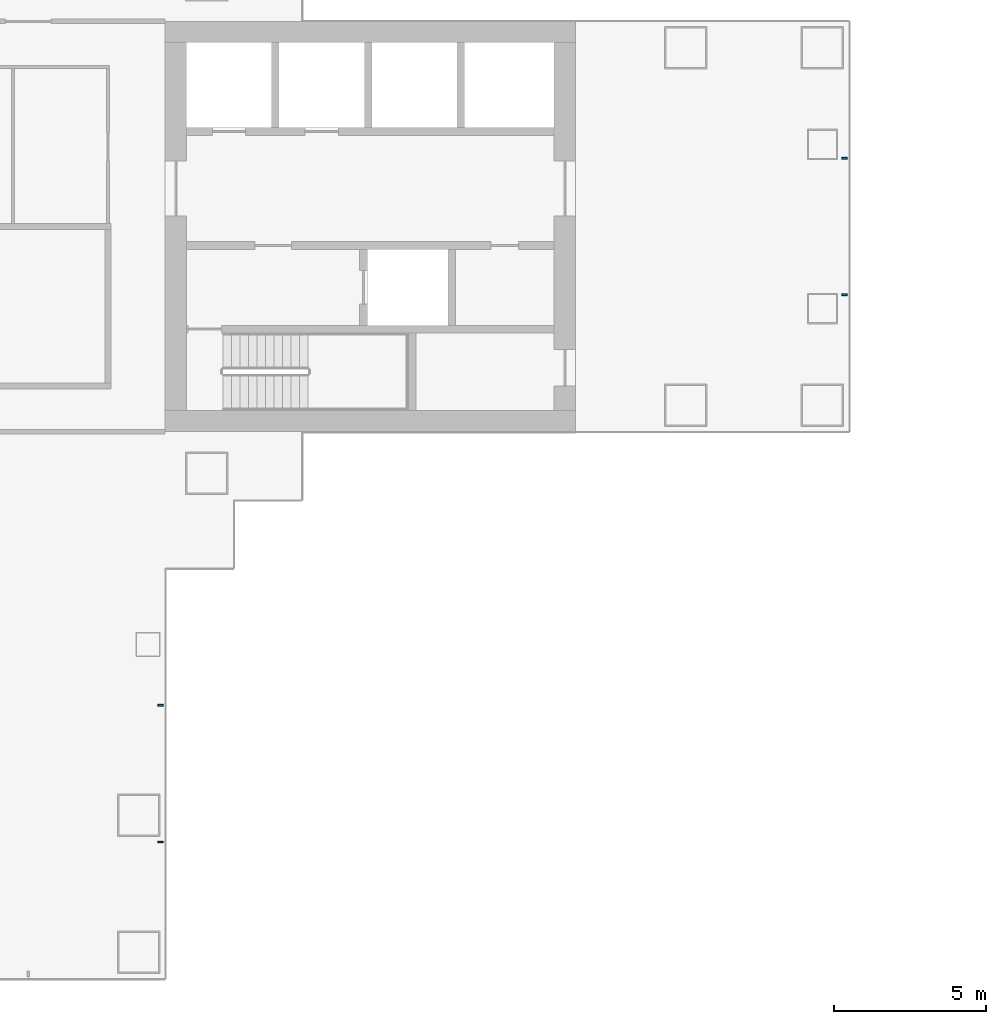
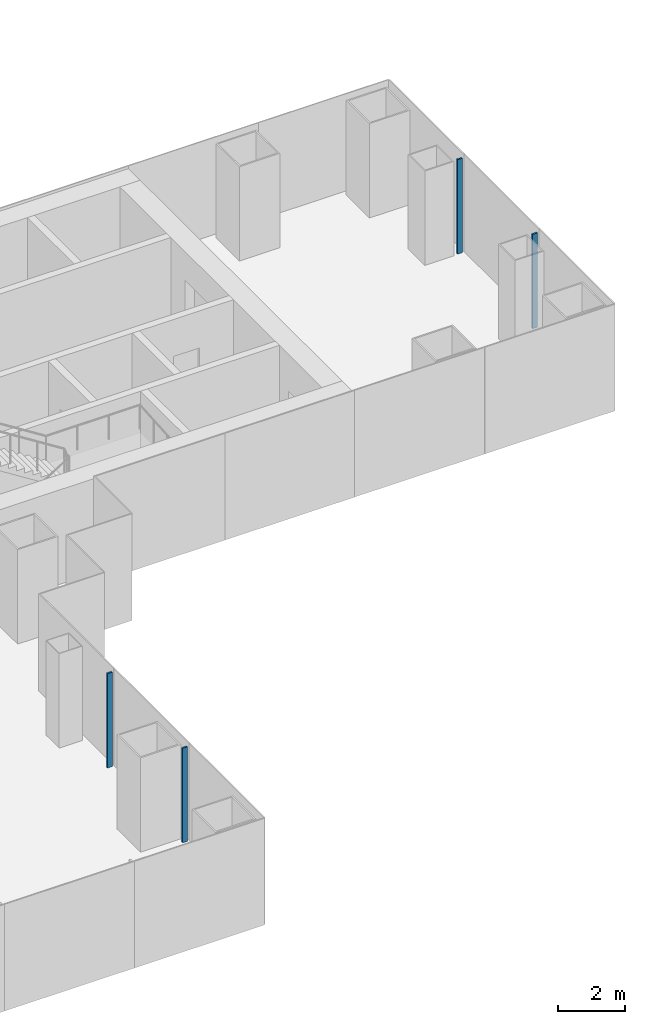
# One storey, part 5 of 22: 4 members, 2 elements without a shape of their own.
"""IFC4 building model written with IfcOpenShell, lengths in metres."""

from ifc_helpers import new_model, si_unit, direction, frame, origin, origin_2d, place, context, subcontext, project, spatial, rectangle, extrude, material, layer, layer_set, material_profile, profile_set, type_object, element, aggregate, save


model = new_model("IFC4")

# Units and contexts
model_context = context("Model", 3, precision=1e-05, world=origin(), true_north=direction((0.0, 1.0)))
body_context = subcontext(model_context, "Body", "Model", "MODEL_VIEW")
ifc_project = project(units=[si_unit("LENGTHUNIT", "METRE"), si_unit("AREAUNIT", "SQUARE_METRE"), si_unit("VOLUMEUNIT", "CUBIC_METRE"), si_unit("PLANEANGLEUNIT", "RADIAN"), si_unit("MASSUNIT", "GRAM", prefix="KILO")], contexts=[model_context])

# Site, building, storey
site_placement = place(None, origin())
site = spatial("IfcSite", under=ifc_project, at=site_placement, CompositionType="ELEMENT")
building_placement = place(site_placement, origin())
building = spatial("IfcBuilding", under=site, at=building_placement, Name="Shamsa Quay Exchange Towers", CompositionType="ELEMENT")
storey_placement = place(building_placement, frame((0.0, 0.0, 73.199951171875)))
storey = spatial("IfcBuildingStorey", under=building, at=storey_placement, Name="L16", CompositionType="ELEMENT", Elevation=73.199951171875)

# Curtain wall, members
ifc_material = material(Name="Aluminium EN AW-6063 T6, black anodised", Category="aluminium")
ifc_layer = layer(ifc_material, 0.280029296875)
ifc_layer_set = layer_set([ifc_layer], Name="CW-1 UNITISED VISION GLASS")
curtain_wall_type = type_object("IfcCurtainWallType", Name="CW-1 UNITISED VISION GLASS", PredefinedType="NOTDEFINED", material=ifc_layer_set)
curtain_wall_1_placement = place(storey_placement, origin())
curtain_wall_1 = element("IfcCurtainWall", 1, at=curtain_wall_1_placement, inside=storey, type_object=curtain_wall_type, Name="CW1 T1-FLK-V-E L16", PredefinedType="NOTDEFINED")
ifc_material_profile = material_profile(ifc_material, rectangle(XDim=0.179931640625, YDim=0.06005859375, at=origin_2d()), Name="MU60x180")
ifc_profile_set = profile_set([ifc_material_profile], Name="Aluminium EN AW-6063 T6, black anodised")
member_type = type_object("IfcMemberType", Name="CW1 MULLION 60x180", PredefinedType="MULLION", material=ifc_profile_set)
member_1_placement = place(storey_placement, frame((-27.14990234375, -20.25, 0.0), z_axis=(0.0, 0.0, 1.0), x_axis=(-1.0, 0.0, 0.0)))
member_1 = element("IfcMember", 2, at=member_1_placement, type_object=member_type, Name="CW1 mullion", PredefinedType="MULLION", context=body_context, shape_type="SweptSolid", body=[
    extrude(rectangle(XDim=0.179931640625, YDim=0.06005859375, at=origin_2d()), origin(), (0.0, 0.0, 1.0), 3.449951171875),
])
member_2_placement = place(storey_placement, frame((-27.14990234375, -15.75, 0.0), z_axis=(0.0, 0.0, 1.0), x_axis=(-1.0, 0.0, 0.0)))
member_2 = element("IfcMember", 3, at=member_2_placement, type_object=member_type, Name="CW1 mullion", PredefinedType="MULLION", context=body_context, shape_type="SweptSolid", body=[
    extrude(rectangle(XDim=0.179931640625, YDim=0.06005859375, at=origin_2d()), origin(), (0.0, 0.0, 1.0), 3.449951171875),
])
aggregate(curtain_wall_1, [member_1, member_2])

curtain_wall_2_placement = place(storey_placement, origin())
curtain_wall_2 = element("IfcCurtainWall", 4, at=curtain_wall_2_placement, inside=storey, type_object=curtain_wall_type, Name="CW1 T1-END-U+ L16", PredefinedType="NOTDEFINED")
member_3_placement = place(storey_placement, frame((-4.64990234375, -2.25, 0.0), z_axis=(0.0, 0.0, 1.0), x_axis=(-1.0, 0.0, 0.0)))
member_3 = element("IfcMember", 5, at=member_3_placement, type_object=member_type, Name="CW1 mullion", PredefinedType="MULLION", context=body_context, shape_type="SweptSolid", body=[
    extrude(rectangle(XDim=0.179931640625, YDim=0.06005859375, at=origin_2d()), origin(), (0.0, 0.0, 1.0), 3.449951171875),
])
member_4_placement = place(storey_placement, frame((-4.64990234375, 2.25, 0.0), z_axis=(0.0, 0.0, 1.0), x_axis=(-1.0, 0.0, 0.0)))
member_4 = element("IfcMember", 6, at=member_4_placement, type_object=member_type, Name="CW1 mullion", PredefinedType="MULLION", context=body_context, shape_type="SweptSolid", body=[
    extrude(rectangle(XDim=0.179931640625, YDim=0.06005859375, at=origin_2d()), origin(), (0.0, 0.0, 1.0), 3.449951171875),
])
aggregate(curtain_wall_2, [member_3, member_4])

save(model, "model.ifc")
